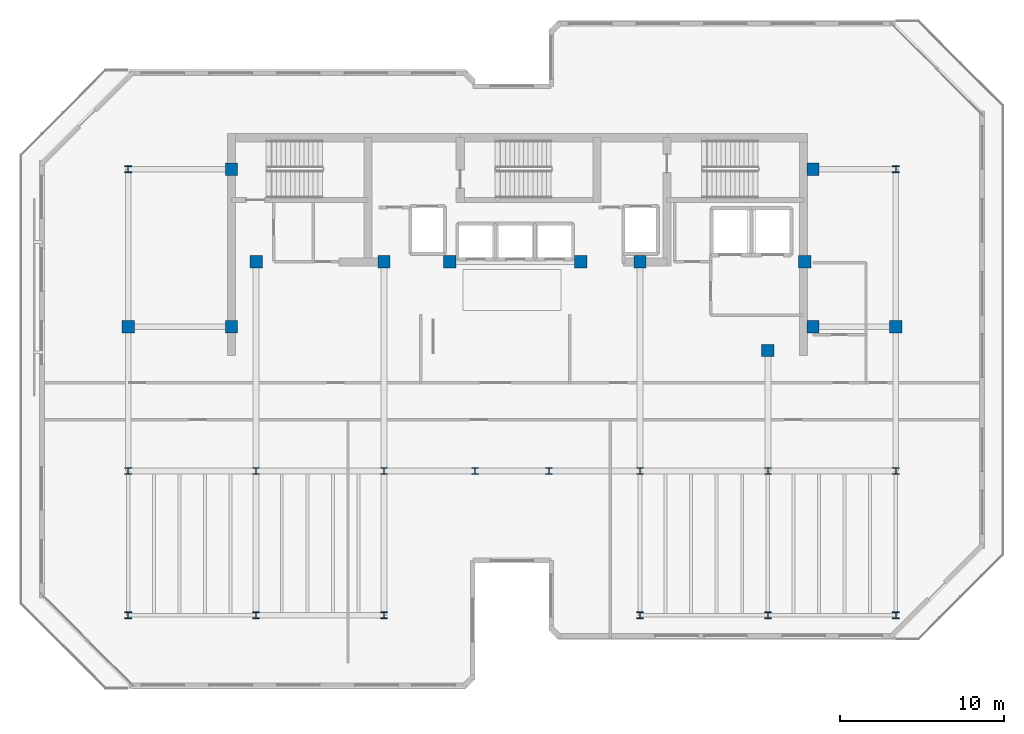
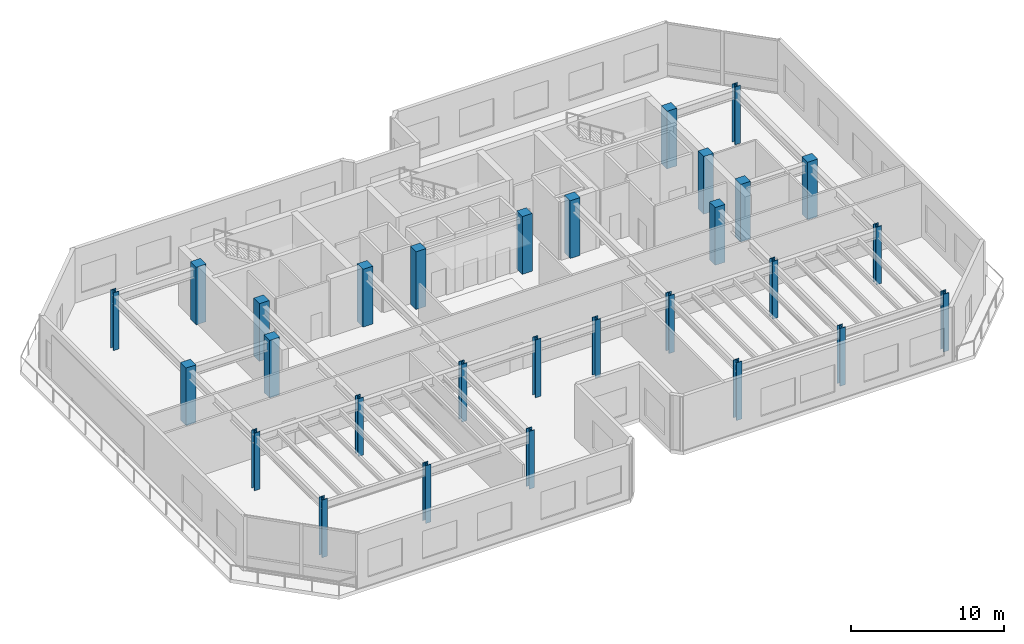
# One storey, part 1 of 12: 29 columns.
"""IFC4 building model written with IfcOpenShell, lengths in metres."""

from ifc_helpers import new_model, si_unit, direction, frame, origin, origin_2d, place, context, subcontext, project, spatial, rectangle, i_section, extrude, material, material_profile, profile_set, type_object, element, save


model = new_model("IFC4")

# Units and contexts
model_context = context("Model", 3, precision=1e-05, world=origin(), true_north=direction((0.0, 1.0)))
body_context = subcontext(model_context, "Body", "Model", "MODEL_VIEW")
ifc_project = project(units=[si_unit("LENGTHUNIT", "METRE"), si_unit("AREAUNIT", "SQUARE_METRE"), si_unit("VOLUMEUNIT", "CUBIC_METRE"), si_unit("PLANEANGLEUNIT", "RADIAN"), si_unit("MASSUNIT", "GRAM", prefix="KILO")], contexts=[model_context])

# Site, building, storey
site_placement = place(None, origin())
site = spatial("IfcSite", under=ifc_project, at=site_placement, CompositionType="ELEMENT")
building_placement = place(site_placement, origin())
building = spatial("IfcBuilding", under=site, at=building_placement, Name="Kestravale Grand Hotel", CompositionType="ELEMENT")
storey_placement = place(building_placement, frame((0.0, 0.0, 302.0)))
storey = spatial("IfcBuildingStorey", under=building, at=storey_placement, Name="L75", CompositionType="ELEMENT", Elevation=302.0)

# Columns
ifc_material_1 = material(Name="Concrete f'c 50 MPa", Category="concrete")
ifc_material_profile_1 = material_profile(ifc_material_1, rectangle(XDim=0.75, YDim=0.75, at=origin_2d()))
ifc_profile_set_1 = profile_set([ifc_material_profile_1], Name="Concrete f'c 50 MPa")
column_type_1 = type_object("IfcColumnType", Name="C-Z4-750", PredefinedType="COLUMN", material=ifc_profile_set_1)
for number, where, z_axis, x_axis, name in (
    (1, (15.60009765625, 28.800048828125, 0.0), (0.0, 0.0, 1.0), (1.0, 0.0, 0.0), "L75 column 3-E"),
    (2, (62.39990234375, 28.800048828125, 0.0), (0.0, 0.0, 1.0), (1.0, 0.0, 0.0), "L75 column 10-E"),
    (3, (21.89990234375, 28.800048828125, 0.0), (0.0, 0.0, 1.0), (1.0, 0.0, 0.0), "L75 column CW-E"),
    (4, (21.89990234375, 38.39990234375, 0.0), (0.0, 0.0, 1.0), (1.0, 0.0, 0.0), "L75 column CW-F"),
    (5, (57.35009765625, 28.800048828125, 0.0), (0.0, 0.0, 1.0), (1.0, 0.0, 0.0), "L75 column CE-E"),
    (6, (57.35009765625, 38.39990234375, 0.0), (0.0, 0.0, 1.0), (1.0, 0.0, 0.0), "L75 column CE-F"),
    (7, (23.39990234375, 32.75, 0.0), (0.0, 0.0, 1.0), (1.0, 0.0, 0.0), "L75 column 4-CS"),
    (8, (31.199951171875, 32.75, 0.0), (0.0, 0.0, 1.0), (1.0, 0.0, 0.0), "L75 column 5-CS"),
    (9, (35.199951171875, 32.75, 0.0), (0.0, 0.0, 1.0), (1.0, 0.0, 0.0), "L75 column 6C-CS"),
    (10, (43.199951171875, 32.75, 0.0), (0.0, 0.0, 1.0), (1.0, 0.0, 0.0), "L75 column 7C-CS"),
    (11, (46.800048828125, 32.75, 0.0), (0.0, 0.0, 1.0), (1.0, 0.0, 0.0), "L75 column 8-CS"),
    (12, (54.60009765625, 27.35009765625, 0.0), (0.0, 0.0, 1.0), (1.0, 0.0, 0.0), "L75 column 9-CS"),
    (13, (56.85009765625, 32.75, 0.0), (0.0, 0.0, 1.0), (1.0, 0.0, 0.0), "L75 column 9C-CS"),
):
    element("IfcColumn", number, at=place(storey_placement, frame(where, z_axis=z_axis, x_axis=x_axis)), inside=storey, type_object=column_type_1, Name=name, PredefinedType="COLUMN", context=body_context, shape_type="SweptSolid", body=[
        extrude(rectangle(XDim=0.75, YDim=0.75, at=origin_2d()), origin(), (0.0, 0.0, 1.0), 4.60009765625),
    ])
ifc_material_2 = material(Name="Steel ASTM A992 Grade 50", Category="steel")
ifc_material_profile_2 = material_profile(ifc_material_2, i_section(OverallWidth=0.406005859375, OverallDepth=0.4169921875, WebThickness=0.02978515625, FlangeThickness=0.048095703125, FilletRadius=0.01708984375, at=origin_2d()))
ifc_profile_set_2 = profile_set([ifc_material_profile_2], Name="Steel ASTM A992 Grade 50")
column_type_2 = type_object("IfcColumnType", Name="C-Z4-W14X257", PredefinedType="COLUMN", material=ifc_profile_set_2)
for number, where, z_axis, x_axis, name in (
    (14, (15.60009765625, 11.199951171875, 0.0), (0.0, 0.0, 1.0), (1.0, 0.0, 0.0), "L75 column 3-C"),
    (15, (15.60009765625, 20.0, 0.0), (0.0, 0.0, 1.0), (1.0, 0.0, 0.0), "L75 column 3-D"),
    (16, (15.60009765625, 38.39990234375, 0.0), (0.0, 0.0, 1.0), (1.0, 0.0, 0.0), "L75 column 3-F"),
    (17, (23.39990234375, 11.199951171875, 0.0), (0.0, 0.0, 1.0), (1.0, 0.0, 0.0), "L75 column 4-C"),
    (18, (23.39990234375, 20.0, 0.0), (0.0, 0.0, 1.0), (1.0, 0.0, 0.0), "L75 column 4-D"),
    (19, (31.199951171875, 11.199951171875, 0.0), (0.0, 0.0, 1.0), (1.0, 0.0, 0.0), "L75 column 5-C"),
    (20, (31.199951171875, 20.0, 0.0), (0.0, 0.0, 1.0), (1.0, 0.0, 0.0), "L75 column 5-D"),
    (21, (36.75, 20.0, 0.0), (0.0, 0.0, 1.0), (1.0, 0.0, 0.0), "L75 column 6-D"),
    (22, (41.25, 20.0, 0.0), (0.0, 0.0, 1.0), (1.0, 0.0, 0.0), "L75 column 7-D"),
    (23, (46.800048828125, 11.199951171875, 0.0), (0.0, 0.0, 1.0), (1.0, 0.0, 0.0), "L75 column 8-C"),
    (24, (46.800048828125, 20.0, 0.0), (0.0, 0.0, 1.0), (1.0, 0.0, 0.0), "L75 column 8-D"),
    (25, (54.60009765625, 11.199951171875, 0.0), (0.0, 0.0, 1.0), (1.0, 0.0, 0.0), "L75 column 9-C"),
    (26, (54.60009765625, 20.0, 0.0), (0.0, 0.0, 1.0), (1.0, 0.0, 0.0), "L75 column 9-D"),
    (27, (62.39990234375, 11.199951171875, 0.0), (0.0, 0.0, 1.0), (1.0, 0.0, 0.0), "L75 column 10-C"),
    (28, (62.39990234375, 20.0, 0.0), (0.0, 0.0, 1.0), (1.0, 0.0, 0.0), "L75 column 10-D"),
    (29, (62.39990234375, 38.39990234375, 0.0), (0.0, 0.0, 1.0), (1.0, 0.0, 0.0), "L75 column 10-F"),
):
    element("IfcColumn", number, at=place(storey_placement, frame(where, z_axis=z_axis, x_axis=x_axis)), inside=storey, type_object=column_type_2, Name=name, PredefinedType="COLUMN", context=body_context, shape_type="SweptSolid", body=[
        extrude(i_section(OverallWidth=0.406005859375, OverallDepth=0.4169921875, WebThickness=0.02978515625, FlangeThickness=0.048095703125, FilletRadius=0.01708984375, at=origin_2d()), origin(), (0.0, 0.0, 1.0), 4.60009765625),
    ])

save(model, "model.ifc")
